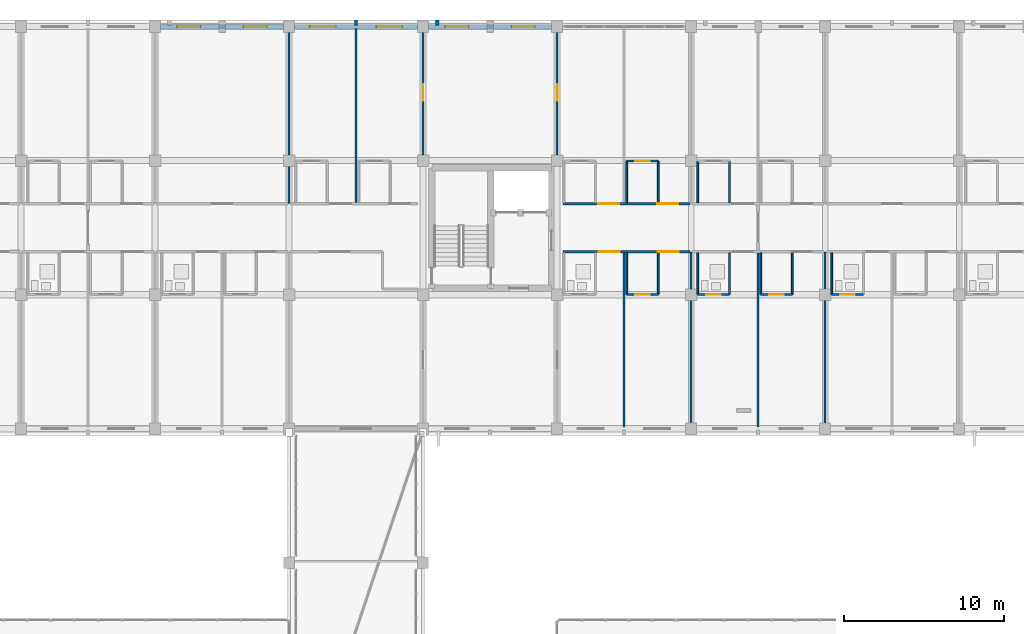
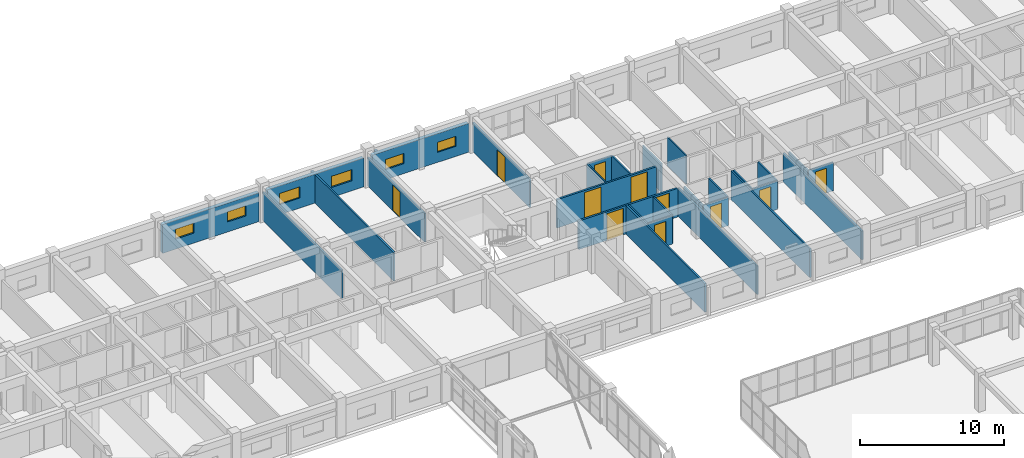
# One storey, part 128 of 148: 31 walls, 11 doors, 6 windows, 17 openings.
"""IFC4 building model written with IfcOpenShell, lengths in metres."""

from ifc_helpers import new_model, si_unit, direction, frame, frame_2d, origin, place, context, subcontext, project, spatial, rectangle, extrude, material, layer, layer_set, type_object, element, fill, save


model = new_model("IFC4")

# Units and contexts
model_context = context("Model", 3, precision=1e-05, world=origin(), true_north=direction((0.0, 1.0)))
body_context = subcontext(model_context, "Body", "Model", "MODEL_VIEW")
ifc_project = project(units=[si_unit("LENGTHUNIT", "METRE"), si_unit("AREAUNIT", "SQUARE_METRE"), si_unit("VOLUMEUNIT", "CUBIC_METRE"), si_unit("PLANEANGLEUNIT", "RADIAN"), si_unit("MASSUNIT", "GRAM", prefix="KILO")], contexts=[model_context])

# Site, building, storey
site_placement = place(None, origin())
site = spatial("IfcSite", under=ifc_project, at=site_placement, CompositionType="ELEMENT")
building_placement = place(site_placement, origin())
building = spatial("IfcBuilding", under=site, at=building_placement, Name="Trelvath General Hospital", CompositionType="ELEMENT")
storey_placement = place(building_placement, frame((0.0, 0.0, 12.89990234375)))
storey = spatial("IfcBuildingStorey", under=building, at=storey_placement, Name="L03", CompositionType="ELEMENT", Elevation=12.89990234375)

# Walls
ifc_material_1 = material(Name="Precast concrete C40/50", Category="concrete")
ifc_layer_1 = layer(ifc_material_1, 0.199951171875)
ifc_layer_set_1 = layer_set([ifc_layer_1], Name="Precast concrete C40/50")
wall_type_1 = type_object("IfcWallType", Name="BriseSoleilRib 200", PredefinedType="ELEMENTEDWALL", material=ifc_layer_set_1)
for number, where, z_axis, x_axis, name in (
    (1, (79.800048828125, 117.675048828125, 0.0), (0.0, 0.0, 1.0), (0.0, 1.0, 0.0), "Precast Concrete Brise-Soleil Rib Fin L03-273"),
    (2, (84.884765625, 117.675048828125, 0.0), (0.0, 0.0, 1.0), (0.0, 1.0, 0.0), "Precast Concrete Brise-Soleil Rib Fin L03-277"),
):
    element("IfcWall", number, at=place(storey_placement, frame(where, z_axis=z_axis, x_axis=x_axis)), inside=storey, type_object=wall_type_1, Name=name, PredefinedType="ELEMENTEDWALL", context=body_context, shape_type="SweptSolid", body=[
        extrude(rectangle(XDim=0.33984375, YDim=0.199951171875, at=frame_2d((0.169921875, 0.0))), origin(), (0.0, 0.0, 1.0), 2.420166015625),
    ])

# Wall, openings, doors
ifc_material_2 = material(Name="Gypsum acoustic steel-stud partition", Category="steel")
ifc_layer_2 = layer(ifc_material_2, 0.14990234375)
ifc_layer_set_2 = layer_set([ifc_layer_2], Name="Gypsum acoustic steel-stud partition")
wall_type_2 = type_object("IfcWallType", Name="ClinicalPartition 150", PredefinedType="PARTITIONING", material=ifc_layer_set_2)
wall_1_placement = place(storey_placement, frame((92.760009765625, 103.5, 0.0), z_axis=(0.0, 0.0, 1.0), x_axis=(1.0, 0.0, 0.0)))
wall_1 = element("IfcWall", 3, at=wall_1_placement, inside=storey, type_object=wall_type_2, Name="Corridor Partition L03-1322", PredefinedType="PARTITIONING", context=body_context, shape_type="SweptSolid", body=[
    extrude(rectangle(XDim=7.9599609375, YDim=0.14990234375, at=frame_2d((3.97998046875, 0.0))), origin(), (0.0, 0.0, 1.0), 2.420166015625),
])
opening_1_placement = place(wall_1_placement, frame((2.25, 0.0, 0.0)))
opening_1 = element("IfcOpeningElement", 4, at=opening_1_placement, cuts=wall_1, Name="Opening D-3-0948", PredefinedType="OPENING", context=body_context, shape_type="SweptSolid", body=[
    extrude(rectangle(XDim=1.320068359375, YDim=2.25, at=frame_2d((0.66015625, 1.125))), frame((0.0, 0.0849609375, 0.0), z_axis=(0.0, -1.0, 0.0), x_axis=(1.0, 0.0, 0.0)), (0.0, 0.0, 1.0), 0.169921875),
])
opening_2_placement = place(wall_1_placement, frame((5.949951171875, 0.0, 0.0)))
opening_2 = element("IfcOpeningElement", 5, at=opening_2_placement, cuts=wall_1, Name="Opening D-3-0949", PredefinedType="OPENING", context=body_context, shape_type="SweptSolid", body=[
    extrude(rectangle(XDim=1.320068359375, YDim=2.25, at=frame_2d((0.66015625, 1.125))), frame((0.0, 0.0849609375, 0.0), z_axis=(0.0, -1.0, 0.0), x_axis=(1.0, 0.0, 0.0)), (0.0, 0.0, 1.0), 0.169921875),
])
ifc_material_3 = material(Name="Maternity bed-leaf timber door", Category="wood")
door_type_1 = type_object("IfcDoorType", Name="Door PatientMaternity 1320x2250", OperationType="NOTDEFINED", PredefinedType="DOOR", material=ifc_material_3)
door_1_placement = place(opening_1_placement, origin())
door_1 = element("IfcDoor", 6, at=door_1_placement, inside=storey, type_object=door_type_1, Name="Patient Room Door L03-948", OperationType="SINGLE_SWING_RIGHT", OverallHeight=2.25, OverallWidth=1.320068359375, PredefinedType="DOOR", context=body_context, shape_type="SweptSolid", body=[
    extrude(rectangle(XDim=1.320068359375, YDim=2.25, at=frame_2d((0.66015625, 1.125))), frame((0.0, 0.02490234375, 0.0), z_axis=(0.0, -1.0, 0.0), x_axis=(1.0, 0.0, 0.0)), (0.0, 0.0, 1.0), 0.050048828125),
])
fill(opening_1, door_1)
door_2_placement = place(opening_2_placement, origin())
door_2 = element("IfcDoor", 7, at=door_2_placement, inside=storey, type_object=door_type_1, Name="Patient Room Door L03-949", OperationType="SINGLE_SWING_LEFT", OverallHeight=2.25, OverallWidth=1.320068359375, PredefinedType="DOOR", context=body_context, shape_type="SweptSolid", body=[
    extrude(rectangle(XDim=1.320068359375, YDim=2.25, at=frame_2d((0.66015625, 1.125))), frame((0.0, 0.02490234375, 0.0), z_axis=(0.0, -1.0, 0.0), x_axis=(1.0, 0.0, 0.0)), (0.0, 0.0, 1.0), 0.050048828125),
])
fill(opening_2, door_2)

wall_2_placement = place(storey_placement, frame((100.719970703125, 106.5, 0.0), z_axis=(0.0, 0.0, 1.0), x_axis=(-1.0, 0.0, 0.0)))
wall_2 = element("IfcWall", 8, at=wall_2_placement, inside=storey, type_object=wall_type_2, Name="Corridor Partition N L03-1330", PredefinedType="PARTITIONING", context=body_context, shape_type="SweptSolid", body=[
    extrude(rectangle(XDim=7.9599609375, YDim=0.14990234375, at=frame_2d((3.97998046875, 0.0))), origin(), (0.0, 0.0, 1.0), 2.420166015625),
])
opening_3_placement = place(wall_2_placement, frame((0.72998046875, 0.0, 0.0)))
opening_3 = element("IfcOpeningElement", 9, at=opening_3_placement, cuts=wall_2, Name="Opening D-3-0952", PredefinedType="OPENING", context=body_context, shape_type="SweptSolid", body=[
    extrude(rectangle(XDim=1.320068359375, YDim=2.25, at=frame_2d((0.66015625, 1.125))), frame((0.0, 0.0849609375, 0.0), z_axis=(0.0, -1.0, 0.0), x_axis=(1.0, 0.0, 0.0)), (0.0, 0.0, 1.0), 0.169921875),
])
opening_4_placement = place(wall_2_placement, frame((4.429931640625, 0.0, 0.0)))
opening_4 = element("IfcOpeningElement", 10, at=opening_4_placement, cuts=wall_2, Name="Opening D-3-0953", PredefinedType="OPENING", context=body_context, shape_type="SweptSolid", body=[
    extrude(rectangle(XDim=1.320068359375, YDim=2.25, at=frame_2d((0.66015625, 1.125))), frame((0.0, 0.0849609375, 0.0), z_axis=(0.0, -1.0, 0.0), x_axis=(1.0, 0.0, 0.0)), (0.0, 0.0, 1.0), 0.169921875),
])
door_3_placement = place(opening_3_placement, origin())
door_3 = element("IfcDoor", 11, at=door_3_placement, inside=storey, type_object=door_type_1, Name="Patient Room Door N L03-952", OperationType="SINGLE_SWING_RIGHT", OverallHeight=2.25, OverallWidth=1.320068359375, PredefinedType="DOOR", context=body_context, shape_type="SweptSolid", body=[
    extrude(rectangle(XDim=1.320068359375, YDim=2.25, at=frame_2d((0.66015625, 1.125))), frame((0.0, 0.02490234375, 0.0), z_axis=(0.0, -1.0, 0.0), x_axis=(1.0, 0.0, 0.0)), (0.0, 0.0, 1.0), 0.050048828125),
])
fill(opening_3, door_3)
door_4_placement = place(opening_4_placement, origin())
door_4 = element("IfcDoor", 12, at=door_4_placement, inside=storey, type_object=door_type_1, Name="Patient Room Door N L03-953", OperationType="SINGLE_SWING_RIGHT", OverallHeight=2.25, OverallWidth=1.320068359375, PredefinedType="DOOR", context=body_context, shape_type="SweptSolid", body=[
    extrude(rectangle(XDim=1.320068359375, YDim=2.25, at=frame_2d((0.66015625, 1.125))), frame((0.0, 0.02490234375, 0.0), z_axis=(0.0, -1.0, 0.0), x_axis=(1.0, 0.0, 0.0)), (0.0, 0.0, 1.0), 0.050048828125),
])
fill(opening_4, door_4)

# Walls
ifc_material_4 = material(Name="Moisture-resistant tile partition")
ifc_layer_3 = layer(ifc_material_4, 0.110107421875)
ifc_layer_set_3 = layer_set([ifc_layer_3], Name="Moisture-resistant tile partition")
wall_type_3 = type_object("IfcWallType", Name="EnSuiteWetWall 110", PredefinedType="PARTITIONING", material=ifc_layer_set_3)
for number, where, z_axis, x_axis, name in (
    (13, (96.760009765625, 100.820068359375, 0.0), (0.0, 0.0, 1.0), (0.0, 1.0, 0.0), "En-Suite W Wall L03-1327"),
    (14, (98.739990234375, 100.820068359375, 0.0), (0.0, 0.0, 1.0), (0.0, 1.0, 0.0), "En-Suite E Wall L03-1328"),
):
    element("IfcWall", number, at=place(storey_placement, frame(where, z_axis=z_axis, x_axis=x_axis)), inside=storey, type_object=wall_type_3, Name=name, PredefinedType="PARTITIONING", context=body_context, shape_type="SweptSolid", body=[
        extrude(rectangle(XDim=2.60986328125, YDim=0.110107421875, at=frame_2d((1.304931640625, 0.0))), origin(), (0.0, 0.0, 1.0), 2.420166015625),
    ])

# Wall, opening, door
wall_3_placement = place(storey_placement, frame((96.760009765625, 100.820068359375, 0.0), z_axis=(0.0, 0.0, 1.0), x_axis=(1.0, 0.0, 0.0)))
wall_3 = element("IfcWall", 15, at=wall_3_placement, inside=storey, type_object=wall_type_3, Name="En-Suite Bathroom Partition L03-1329", PredefinedType="PARTITIONING", context=body_context, shape_type="SweptSolid", body=[
    extrude(rectangle(XDim=1.97998046875, YDim=0.110107421875, at=frame_2d((0.989990234375, 0.0))), origin(), (0.0, 0.0, 1.0), 2.420166015625),
])
opening_5_placement = place(wall_3_placement, frame((0.5400390625, 0.0, 0.0)))
opening_5 = element("IfcOpeningElement", 16, at=opening_5_placement, cuts=wall_3, Name="Opening D-3-0951", PredefinedType="OPENING", context=body_context, shape_type="SweptSolid", body=[
    extrude(rectangle(XDim=0.89990234375, YDim=2.10009765625, at=frame_2d((0.449951171875, 1.050048828125))), frame((0.0, 0.06494140625, 0.0), z_axis=(0.0, -1.0, 0.0), x_axis=(1.0, 0.0, 0.0)), (0.0, 0.0, 1.0), 0.130126953125),
])
ifc_material_5 = material(Name="Moisture-sealed timber leaf", Category="wood")
door_type_2 = type_object("IfcDoorType", Name="Door EnSuite 900x2100", OperationType="NOTDEFINED", PredefinedType="DOOR", material=ifc_material_5)
door_5_placement = place(opening_5_placement, origin())
door_5 = element("IfcDoor", 17, at=door_5_placement, inside=storey, type_object=door_type_2, Name="En-Suite Bathroom Door L03-951", OperationType="SINGLE_SWING_LEFT", OverallHeight=2.10009765625, OverallWidth=0.89990234375, PredefinedType="DOOR", context=body_context, shape_type="SweptSolid", body=[
    extrude(rectangle(XDim=0.89990234375, YDim=2.10009765625, at=frame_2d((0.449951171875, 1.050048828125))), frame((0.0, 0.02490234375, 0.0), z_axis=(0.0, -1.0, 0.0), x_axis=(1.0, 0.0, 0.0)), (0.0, 0.0, 1.0), 0.050048828125),
])
fill(opening_5, door_5)

# Walls
for number, where, z_axis, x_axis, name in (
    (18, (96.760009765625, 106.570068359375, 0.0), (0.0, 0.0, 1.0), (0.0, 1.0, 0.0), "En-Suite W Wall N L03-1335"),
    (19, (98.739990234375, 106.570068359375, 0.0), (0.0, 0.0, 1.0), (0.0, 1.0, 0.0), "En-Suite E Wall N L03-1336"),
):
    element("IfcWall", number, at=place(storey_placement, frame(where, z_axis=z_axis, x_axis=x_axis)), inside=storey, type_object=wall_type_3, Name=name, PredefinedType="PARTITIONING", context=body_context, shape_type="SweptSolid", body=[
        extrude(rectangle(XDim=2.60986328125, YDim=0.110107421875, at=frame_2d((1.304931640625, 0.0))), origin(), (0.0, 0.0, 1.0), 2.420166015625),
    ])

# Wall, opening, door
wall_4_placement = place(storey_placement, frame((96.760009765625, 109.179931640625, 0.0), z_axis=(0.0, 0.0, 1.0), x_axis=(1.0, 0.0, 0.0)))
wall_4 = element("IfcWall", 20, at=wall_4_placement, inside=storey, type_object=wall_type_3, Name="En-Suite Bathroom N Partition L03-1337", PredefinedType="PARTITIONING", context=body_context, shape_type="SweptSolid", body=[
    extrude(rectangle(XDim=1.97998046875, YDim=0.110107421875, at=frame_2d((0.989990234375, 0.0))), origin(), (0.0, 0.0, 1.0), 2.420166015625),
])
opening_6_placement = place(wall_4_placement, frame((0.5400390625, 0.0, 0.0)))
opening_6 = element("IfcOpeningElement", 21, at=opening_6_placement, cuts=wall_4, Name="Opening D-3-0955", PredefinedType="OPENING", context=body_context, shape_type="SweptSolid", body=[
    extrude(rectangle(XDim=0.89990234375, YDim=2.10009765625, at=frame_2d((0.449951171875, 1.050048828125))), frame((0.0, 0.06494140625, 0.0), z_axis=(0.0, -1.0, 0.0), x_axis=(1.0, 0.0, 0.0)), (0.0, 0.0, 1.0), 0.130126953125),
])
door_6_placement = place(opening_6_placement, origin())
door_6 = element("IfcDoor", 22, at=door_6_placement, inside=storey, type_object=door_type_2, Name="En-Suite Bathroom N Door L03-955", OperationType="SINGLE_SWING_RIGHT", OverallHeight=2.10009765625, OverallWidth=0.89990234375, PredefinedType="DOOR", context=body_context, shape_type="SweptSolid", body=[
    extrude(rectangle(XDim=0.89990234375, YDim=2.10009765625, at=frame_2d((0.449951171875, 1.050048828125))), frame((0.0, 0.02490234375, 0.0), z_axis=(0.0, -1.0, 0.0), x_axis=(1.0, 0.0, 0.0)), (0.0, 0.0, 1.0), 0.050048828125),
])
fill(opening_6, door_6)

# Walls
for number, where, z_axis, x_axis, name in (
    (23, (101.219970703125, 100.820068359375, 0.0), (0.0, 0.0, 1.0), (0.0, 1.0, 0.0), "En-Suite W Wall L03-1342"),
    (24, (103.199951171875, 100.820068359375, 0.0), (0.0, 0.0, 1.0), (0.0, 1.0, 0.0), "En-Suite E Wall L03-1343"),
):
    element("IfcWall", number, at=place(storey_placement, frame(where, z_axis=z_axis, x_axis=x_axis)), inside=storey, type_object=wall_type_3, Name=name, PredefinedType="PARTITIONING", context=body_context, shape_type="SweptSolid", body=[
        extrude(rectangle(XDim=2.60986328125, YDim=0.110107421875, at=frame_2d((1.304931640625, 0.0))), origin(), (0.0, 0.0, 1.0), 2.420166015625),
    ])

# Wall, opening, door
wall_5_placement = place(storey_placement, frame((101.219970703125, 100.820068359375, 0.0), z_axis=(0.0, 0.0, 1.0), x_axis=(1.0, 0.0, 0.0)))
wall_5 = element("IfcWall", 25, at=wall_5_placement, inside=storey, type_object=wall_type_3, Name="En-Suite Bathroom Partition L03-1344", PredefinedType="PARTITIONING", context=body_context, shape_type="SweptSolid", body=[
    extrude(rectangle(XDim=1.97998046875, YDim=0.110107421875, at=frame_2d((0.989990234375, 0.0))), origin(), (0.0, 0.0, 1.0), 2.420166015625),
])
opening_7_placement = place(wall_5_placement, frame((0.5400390625, 0.0, 0.0)))
opening_7 = element("IfcOpeningElement", 26, at=opening_7_placement, cuts=wall_5, Name="Opening D-3-0958", PredefinedType="OPENING", context=body_context, shape_type="SweptSolid", body=[
    extrude(rectangle(XDim=0.89990234375, YDim=2.10009765625, at=frame_2d((0.449951171875, 1.050048828125))), frame((0.0, 0.06494140625, 0.0), z_axis=(0.0, -1.0, 0.0), x_axis=(1.0, 0.0, 0.0)), (0.0, 0.0, 1.0), 0.130126953125),
])
door_7_placement = place(opening_7_placement, origin())
door_7 = element("IfcDoor", 27, at=door_7_placement, inside=storey, type_object=door_type_2, Name="En-Suite Bathroom Door L03-958", OperationType="SINGLE_SWING_LEFT", OverallHeight=2.10009765625, OverallWidth=0.89990234375, PredefinedType="DOOR", context=body_context, shape_type="SweptSolid", body=[
    extrude(rectangle(XDim=0.89990234375, YDim=2.10009765625, at=frame_2d((0.449951171875, 1.050048828125))), frame((0.0, 0.02490234375, 0.0), z_axis=(0.0, -1.0, 0.0), x_axis=(1.0, 0.0, 0.0)), (0.0, 0.0, 1.0), 0.050048828125),
])
fill(opening_7, door_7)

# Walls
for number, where, z_axis, x_axis, name in (
    (28, (105.159912109375, 100.820068359375, 0.0), (0.0, 0.0, 1.0), (0.0, 1.0, 0.0), "En-Suite W Wall L03-1345"),
    (29, (107.139892578125, 100.820068359375, 0.0), (0.0, 0.0, 1.0), (0.0, 1.0, 0.0), "En-Suite E Wall L03-1346"),
):
    element("IfcWall", number, at=place(storey_placement, frame(where, z_axis=z_axis, x_axis=x_axis)), inside=storey, type_object=wall_type_3, Name=name, PredefinedType="PARTITIONING", context=body_context, shape_type="SweptSolid", body=[
        extrude(rectangle(XDim=2.60986328125, YDim=0.110107421875, at=frame_2d((1.304931640625, 0.0))), origin(), (0.0, 0.0, 1.0), 2.420166015625),
    ])

# Wall, opening, door
wall_6_placement = place(storey_placement, frame((105.159912109375, 100.820068359375, 0.0), z_axis=(0.0, 0.0, 1.0), x_axis=(1.0, 0.0, 0.0)))
wall_6 = element("IfcWall", 30, at=wall_6_placement, inside=storey, type_object=wall_type_3, Name="En-Suite Bathroom Partition L03-1347", PredefinedType="PARTITIONING", context=body_context, shape_type="SweptSolid", body=[
    extrude(rectangle(XDim=1.97998046875, YDim=0.110107421875, at=frame_2d((0.989990234375, 0.0))), origin(), (0.0, 0.0, 1.0), 2.420166015625),
])
opening_8_placement = place(wall_6_placement, frame((0.5400390625, 0.0, 0.0)))
opening_8 = element("IfcOpeningElement", 31, at=opening_8_placement, cuts=wall_6, Name="Opening D-3-0959", PredefinedType="OPENING", context=body_context, shape_type="SweptSolid", body=[
    extrude(rectangle(XDim=0.89990234375, YDim=2.10009765625, at=frame_2d((0.449951171875, 1.050048828125))), frame((0.0, 0.06494140625, 0.0), z_axis=(0.0, -1.0, 0.0), x_axis=(1.0, 0.0, 0.0)), (0.0, 0.0, 1.0), 0.130126953125),
])
door_8_placement = place(opening_8_placement, origin())
door_8 = element("IfcDoor", 32, at=door_8_placement, inside=storey, type_object=door_type_2, Name="En-Suite Bathroom Door L03-959", OperationType="SINGLE_SWING_RIGHT", OverallHeight=2.10009765625, OverallWidth=0.89990234375, PredefinedType="DOOR", context=body_context, shape_type="SweptSolid", body=[
    extrude(rectangle(XDim=0.89990234375, YDim=2.10009765625, at=frame_2d((0.449951171875, 1.050048828125))), frame((0.0, 0.02490234375, 0.0), z_axis=(0.0, -1.0, 0.0), x_axis=(1.0, 0.0, 0.0)), (0.0, 0.0, 1.0), 0.050048828125),
])
fill(opening_8, door_8)

# Walls
for number, where, z_axis, x_axis, name in (
    (33, (101.219970703125, 106.570068359375, 0.0), (0.0, 0.0, 1.0), (0.0, 1.0, 0.0), "En-Suite W Wall N L03-1351"),
    (34, (103.199951171875, 106.570068359375, 0.0), (0.0, 0.0, 1.0), (0.0, 1.0, 0.0), "En-Suite E Wall N L03-1352"),
    (35, (109.6201171875, 100.820068359375, 0.0), (0.0, 0.0, 1.0), (0.0, 1.0, 0.0), "En-Suite W Wall L03-1362"),
):
    element("IfcWall", number, at=place(storey_placement, frame(where, z_axis=z_axis, x_axis=x_axis)), inside=storey, type_object=wall_type_3, Name=name, PredefinedType="PARTITIONING", context=body_context, shape_type="SweptSolid", body=[
        extrude(rectangle(XDim=2.60986328125, YDim=0.110107421875, at=frame_2d((1.304931640625, 0.0))), origin(), (0.0, 0.0, 1.0), 2.420166015625),
    ])

# Wall, opening, door
wall_7_placement = place(storey_placement, frame((109.6201171875, 100.820068359375, 0.0), z_axis=(0.0, 0.0, 1.0), x_axis=(1.0, 0.0, 0.0)))
wall_7 = element("IfcWall", 36, at=wall_7_placement, inside=storey, type_object=wall_type_3, Name="En-Suite Bathroom Partition L03-1364", PredefinedType="PARTITIONING", context=body_context, shape_type="SweptSolid", body=[
    extrude(rectangle(XDim=1.97998046875, YDim=0.110107421875, at=frame_2d((0.989990234375, 0.0))), origin(), (0.0, 0.0, 1.0), 2.420166015625),
])
opening_9_placement = place(wall_7_placement, frame((0.5400390625, 0.0, 0.0)))
opening_9 = element("IfcOpeningElement", 37, at=opening_9_placement, cuts=wall_7, Name="Opening D-3-0967", PredefinedType="OPENING", context=body_context, shape_type="SweptSolid", body=[
    extrude(rectangle(XDim=0.89990234375, YDim=2.10009765625, at=frame_2d((0.449951171875, 1.050048828125))), frame((0.0, 0.06494140625, 0.0), z_axis=(0.0, -1.0, 0.0), x_axis=(1.0, 0.0, 0.0)), (0.0, 0.0, 1.0), 0.130126953125),
])
door_9_placement = place(opening_9_placement, origin())
door_9 = element("IfcDoor", 38, at=door_9_placement, inside=storey, type_object=door_type_2, Name="En-Suite Bathroom Door L03-967", OperationType="SINGLE_SWING_RIGHT", OverallHeight=2.10009765625, OverallWidth=0.89990234375, PredefinedType="DOOR", context=body_context, shape_type="SweptSolid", body=[
    extrude(rectangle(XDim=0.89990234375, YDim=2.10009765625, at=frame_2d((0.449951171875, 1.050048828125))), frame((0.0, 0.02490234375, 0.0), z_axis=(0.0, -1.0, 0.0), x_axis=(1.0, 0.0, 0.0)), (0.0, 0.0, 1.0), 0.050048828125),
])
fill(opening_9, door_9)

# Wall, openings, windows
ifc_material_6 = material(Name="Concrete C35/45", Category="concrete")
ifc_layer_4 = layer(ifc_material_6, 0.2900390625)
ifc_layer_set_4 = layer_set([ifc_layer_4], Name="Concrete C35/45")
wall_type_4 = type_object("IfcWallType", Name="ExtBushHammeredWall 290", PredefinedType="SOLIDWALL", material=ifc_layer_set_4)
wall_8_placement = place(storey_placement, frame((67.544921875, 117.60009765625, 0.0), z_axis=(0.0, 0.0, 1.0), x_axis=(1.0, 0.0, 0.0)))
wall_8 = element("IfcWall", 39, at=wall_8_placement, inside=storey, type_object=wall_type_4, Name="Exterior Concrete Wall L03-379", PredefinedType="SOLIDWALL", context=body_context, shape_type="SweptSolid", body=[
    extrude(rectangle(XDim=7.7099609375, YDim=0.2900390625, at=frame_2d((3.85498046875, 0.0))), origin(), (0.0, 0.0, 1.0), 2.440185546875),
])
opening_10_placement = place(wall_8_placement, frame((1.043212890625, 0.0, 0.85009765625)))
opening_10 = element("IfcOpeningElement", 40, at=opening_10_placement, cuts=wall_8, Name="Opening WN-3-627", PredefinedType="OPENING", context=body_context, shape_type="SweptSolid", body=[
    extrude(rectangle(XDim=1.4599609375, YDim=0.85009765625, at=frame_2d((0.72998046875, 0.425048828125))), frame((0.0, 0.155029296875, 0.0), z_axis=(0.0, -1.0, 0.0), x_axis=(1.0, 0.0, 0.0)), (0.0, 0.0, 1.0), 0.31005859375),
])
opening_11_placement = place(wall_8_placement, frame((5.206787109375, 0.0, 0.85009765625)))
opening_11 = element("IfcOpeningElement", 41, at=opening_11_placement, cuts=wall_8, Name="Opening WN-3-628", PredefinedType="OPENING", context=body_context, shape_type="SweptSolid", body=[
    extrude(rectangle(XDim=1.4599609375, YDim=0.85009765625, at=frame_2d((0.72998046875, 0.425048828125))), frame((0.0, 0.155029296875, 0.0), z_axis=(0.0, -1.0, 0.0), x_axis=(1.0, 0.0, 0.0)), (0.0, 0.0, 1.0), 0.31005859375),
])
ifc_material_7 = material(Name="Low-E laminated glass", Category="glass")
window_type_1 = type_object("IfcWindowType", Name="Window ImagingClere 1460x850", PartitioningType="DOUBLE_PANEL_VERTICAL", PredefinedType="WINDOW", material=ifc_material_7)
window_1_placement = place(opening_10_placement, origin())
window_1 = element("IfcWindow", 42, at=window_1_placement, inside=storey, type_object=window_type_1, Name="Solar Reveal Window L03-627", OverallHeight=0.85009765625, OverallWidth=1.4599609375, PartitioningType="SINGLE_PANEL", PredefinedType="WINDOW", context=body_context, shape_type="SweptSolid", body=[
    extrude(rectangle(XDim=1.4599609375, YDim=0.85009765625, at=frame_2d((0.72998046875, 0.425048828125))), frame((0.0, 0.030029296875, 0.0), z_axis=(0.0, -1.0, 0.0), x_axis=(1.0, 0.0, 0.0)), (0.0, 0.0, 1.0), 0.06005859375),
])
fill(opening_10, window_1)
window_2_placement = place(opening_11_placement, origin())
window_2 = element("IfcWindow", 43, at=window_2_placement, inside=storey, type_object=window_type_1, Name="Solar Reveal Window L03-628", OverallHeight=0.85009765625, OverallWidth=1.4599609375, PartitioningType="SINGLE_PANEL", PredefinedType="WINDOW", context=body_context, shape_type="SweptSolid", body=[
    extrude(rectangle(XDim=1.4599609375, YDim=0.85009765625, at=frame_2d((0.72998046875, 0.425048828125))), frame((0.0, 0.030029296875, 0.0), z_axis=(0.0, -1.0, 0.0), x_axis=(1.0, 0.0, 0.0)), (0.0, 0.0, 1.0), 0.06005859375),
])
fill(opening_11, window_2)

wall_9_placement = place(storey_placement, frame((75.945068359375, 117.60009765625, 0.0), z_axis=(0.0, 0.0, 1.0), x_axis=(1.0, 0.0, 0.0)))
wall_9 = element("IfcWall", 44, at=wall_9_placement, inside=storey, type_object=wall_type_4, Name="Exterior Concrete Wall L03-388", PredefinedType="SOLIDWALL", context=body_context, shape_type="SweptSolid", body=[
    extrude(rectangle(XDim=7.7099609375, YDim=0.2900390625, at=frame_2d((3.85498046875, 0.0))), origin(), (0.0, 0.0, 1.0), 2.440185546875),
])
opening_12_placement = place(wall_9_placement, frame((0.96337890625, 0.0, 0.85009765625)))
opening_12 = element("IfcOpeningElement", 45, at=opening_12_placement, cuts=wall_9, Name="Opening WN-3-631", PredefinedType="OPENING", context=body_context, shape_type="SweptSolid", body=[
    extrude(rectangle(XDim=1.6201171875, YDim=0.949951171875, at=frame_2d((0.81005859375, 0.47509765625))), frame((0.0, 0.155029296875, 0.0), z_axis=(0.0, -1.0, 0.0), x_axis=(1.0, 0.0, 0.0)), (0.0, 0.0, 1.0), 0.31005859375),
])
opening_13_placement = place(wall_9_placement, frame((5.126708984375, 0.0, 0.85009765625)))
opening_13 = element("IfcOpeningElement", 46, at=opening_13_placement, cuts=wall_9, Name="Opening WN-3-632", PredefinedType="OPENING", context=body_context, shape_type="SweptSolid", body=[
    extrude(rectangle(XDim=1.6201171875, YDim=0.949951171875, at=frame_2d((0.81005859375, 0.47509765625))), frame((0.0, 0.155029296875, 0.0), z_axis=(0.0, -1.0, 0.0), x_axis=(1.0, 0.0, 0.0)), (0.0, 0.0, 1.0), 0.31005859375),
])
ifc_material_8 = material(Name="Low-E laminated glass", Category="glass")
window_type_2 = type_object("IfcWindowType", Name="Window EmergencyClere 1620x950", PartitioningType="DOUBLE_PANEL_VERTICAL", PredefinedType="WINDOW", material=ifc_material_8)
window_3_placement = place(opening_12_placement, origin())
window_3 = element("IfcWindow", 47, at=window_3_placement, inside=storey, type_object=window_type_2, Name="Solar Reveal Window L03-631", OverallHeight=0.949951171875, OverallWidth=1.6201171875, PartitioningType="SINGLE_PANEL", PredefinedType="WINDOW", context=body_context, shape_type="SweptSolid", body=[
    extrude(rectangle(XDim=1.6201171875, YDim=0.949951171875, at=frame_2d((0.81005859375, 0.47509765625))), frame((0.0, 0.030029296875, 0.0), z_axis=(0.0, -1.0, 0.0), x_axis=(1.0, 0.0, 0.0)), (0.0, 0.0, 1.0), 0.06005859375),
])
fill(opening_12, window_3)
window_4_placement = place(opening_13_placement, origin())
window_4 = element("IfcWindow", 48, at=window_4_placement, inside=storey, type_object=window_type_2, Name="Solar Reveal Window L03-632", OverallHeight=0.949951171875, OverallWidth=1.6201171875, PartitioningType="SINGLE_PANEL", PredefinedType="WINDOW", context=body_context, shape_type="SweptSolid", body=[
    extrude(rectangle(XDim=1.6201171875, YDim=0.949951171875, at=frame_2d((0.81005859375, 0.47509765625))), frame((0.0, 0.030029296875, 0.0), z_axis=(0.0, -1.0, 0.0), x_axis=(1.0, 0.0, 0.0)), (0.0, 0.0, 1.0), 0.06005859375),
])
fill(opening_13, window_4)

wall_10_placement = place(storey_placement, frame((84.344970703125, 117.60009765625, 0.0), z_axis=(0.0, 0.0, 1.0), x_axis=(1.0, 0.0, 0.0)))
wall_10 = element("IfcWall", 49, at=wall_10_placement, inside=storey, type_object=wall_type_4, Name="Exterior Concrete Wall L03-395", PredefinedType="SOLIDWALL", context=body_context, shape_type="SweptSolid", body=[
    extrude(rectangle(XDim=7.7099609375, YDim=0.2900390625, at=frame_2d((3.85498046875, 0.0))), origin(), (0.0, 0.0, 1.0), 2.440185546875),
])
opening_14_placement = place(wall_10_placement, frame((1.043212890625, 0.0, 0.85009765625)))
opening_14 = element("IfcOpeningElement", 50, at=opening_14_placement, cuts=wall_10, Name="Opening WN-3-639", PredefinedType="OPENING", context=body_context, shape_type="SweptSolid", body=[
    extrude(rectangle(XDim=1.4599609375, YDim=0.85009765625, at=frame_2d((0.72998046875, 0.425048828125))), frame((0.0, 0.155029296875, 0.0), z_axis=(0.0, -1.0, 0.0), x_axis=(1.0, 0.0, 0.0)), (0.0, 0.0, 1.0), 0.31005859375),
])
opening_15_placement = place(wall_10_placement, frame((5.206787109375, 0.0, 0.85009765625)))
opening_15 = element("IfcOpeningElement", 51, at=opening_15_placement, cuts=wall_10, Name="Opening WN-3-640", PredefinedType="OPENING", context=body_context, shape_type="SweptSolid", body=[
    extrude(rectangle(XDim=1.4599609375, YDim=0.85009765625, at=frame_2d((0.72998046875, 0.425048828125))), frame((0.0, 0.155029296875, 0.0), z_axis=(0.0, -1.0, 0.0), x_axis=(1.0, 0.0, 0.0)), (0.0, 0.0, 1.0), 0.31005859375),
])
window_5_placement = place(opening_14_placement, origin())
window_5 = element("IfcWindow", 52, at=window_5_placement, inside=storey, type_object=window_type_1, Name="Solar Reveal Window L03-639", OverallHeight=0.85009765625, OverallWidth=1.4599609375, PartitioningType="SINGLE_PANEL", PredefinedType="WINDOW", context=body_context, shape_type="SweptSolid", body=[
    extrude(rectangle(XDim=1.4599609375, YDim=0.85009765625, at=frame_2d((0.72998046875, 0.425048828125))), frame((0.0, 0.030029296875, 0.0), z_axis=(0.0, -1.0, 0.0), x_axis=(1.0, 0.0, 0.0)), (0.0, 0.0, 1.0), 0.06005859375),
])
fill(opening_14, window_5)
window_6_placement = place(opening_15_placement, origin())
window_6 = element("IfcWindow", 53, at=window_6_placement, inside=storey, type_object=window_type_1, Name="Solar Reveal Window L03-640", OverallHeight=0.85009765625, OverallWidth=1.4599609375, PartitioningType="SINGLE_PANEL", PredefinedType="WINDOW", context=body_context, shape_type="SweptSolid", body=[
    extrude(rectangle(XDim=1.4599609375, YDim=0.85009765625, at=frame_2d((0.72998046875, 0.425048828125))), frame((0.0, 0.030029296875, 0.0), z_axis=(0.0, -1.0, 0.0), x_axis=(1.0, 0.0, 0.0)), (0.0, 0.0, 1.0), 0.06005859375),
])
fill(opening_15, window_6)

# Walls
ifc_material_9 = material(Name="Gypsum acoustic steel-stud partition", Category="steel")
ifc_layer_5 = layer(ifc_material_9, 0.1298828125)
ifc_layer_set_5 = layer_set([ifc_layer_5], Name="Gypsum acoustic steel-stud partition")
wall_type_5 = type_object("IfcWallType", Name="WardPartition 130", PredefinedType="PARTITIONING", material=ifc_layer_set_5)
wall_11_placement = place(storey_placement, frame((75.60009765625, 106.52001953125, 0.0), z_axis=(0.0, 0.0, 1.0), x_axis=(0.0, 1.0, 0.0)))
element("IfcWall", 54, at=wall_11_placement, inside=storey, type_object=wall_type_5, Name="Inter-Bay Ward Partition N L03-1306", PredefinedType="PARTITIONING", context=body_context, shape_type="SweptSolid", body=[
    extrude(rectangle(XDim=10.93994140625, YDim=0.1298828125, at=frame_2d((5.469970703125, 0.0))), origin(), (0.0, 0.0, 1.0), 2.420166015625),
])
wall_12_placement = place(storey_placement, frame((79.800048828125, 106.570068359375, 0.0), z_axis=(0.0, 0.0, 1.0), x_axis=(0.0, 1.0, 0.0)))
element("IfcWall", 55, at=wall_12_placement, inside=storey, type_object=wall_type_5, Name="Room Dividing Partition N L03-1311", PredefinedType="PARTITIONING", context=body_context, shape_type="SweptSolid", body=[
    extrude(rectangle(XDim=10.929931640625, YDim=0.1298828125, at=frame_2d((5.46484375, 0.0))), origin(), (0.0, 0.0, 1.0), 2.420166015625),
])

# Wall, opening, door
wall_13_placement = place(storey_placement, frame((84.0, 109.550048828125, 0.0), z_axis=(0.0, 0.0, 1.0), x_axis=(0.0, 1.0, 0.0)))
wall_13 = element("IfcWall", 56, at=wall_13_placement, inside=storey, type_object=wall_type_5, Name="Inter-Bay Ward Partition N L03-1319", PredefinedType="PARTITIONING", context=body_context, shape_type="SweptSolid", body=[
    extrude(rectangle(XDim=7.909912109375, YDim=0.1298828125, at=frame_2d((3.955078125, 0.0))), origin(), (0.0, 0.0, 1.0), 2.420166015625),
])
opening_16_placement = place(wall_13_placement, frame((3.39990234375, 0.0, 0.0)))
opening_16 = element("IfcOpeningElement", 57, at=opening_16_placement, cuts=wall_13, Name="Opening D-3-0945", PredefinedType="OPENING", context=body_context, shape_type="SweptSolid", body=[
    extrude(rectangle(XDim=1.050048828125, YDim=2.199951171875, at=frame_2d((0.52490234375, 1.10009765625))), frame((0.0, 0.074951171875, 0.0), z_axis=(0.0, -1.0, 0.0), x_axis=(1.0, 0.0, 0.0)), (0.0, 0.0, 1.0), 0.14990234375),
])
ifc_material_10 = material(Name="Acoustic hospital timber leaf", Category="wood")
door_type_3 = type_object("IfcDoorType", Name="Door Consult 1050x2200", OperationType="NOTDEFINED", PredefinedType="DOOR", material=ifc_material_10)
door_10_placement = place(opening_16_placement, origin())
door_10 = element("IfcDoor", 58, at=door_10_placement, inside=storey, type_object=door_type_3, Name="Consultation Connecting Door L03-945", OperationType="SINGLE_SWING_LEFT", OverallHeight=2.199951171875, OverallWidth=1.050048828125, PredefinedType="DOOR", context=body_context, shape_type="SweptSolid", body=[
    extrude(rectangle(XDim=1.050048828125, YDim=2.199951171875, at=frame_2d((0.52490234375, 1.10009765625))), frame((0.0, 0.02490234375, 0.0), z_axis=(0.0, -1.0, 0.0), x_axis=(1.0, 0.0, 0.0)), (0.0, 0.0, 1.0), 0.050048828125),
])
fill(opening_16, door_10)

wall_14_placement = place(storey_placement, frame((92.39990234375, 109.550048828125, 0.0), z_axis=(0.0, 0.0, 1.0), x_axis=(0.0, 1.0, 0.0)))
wall_14 = element("IfcWall", 59, at=wall_14_placement, inside=storey, type_object=wall_type_5, Name="Inter-Bay Ward Partition N L03-1321", PredefinedType="PARTITIONING", context=body_context, shape_type="SweptSolid", body=[
    extrude(rectangle(XDim=7.909912109375, YDim=0.1298828125, at=frame_2d((3.955078125, 0.0))), origin(), (0.0, 0.0, 1.0), 2.420166015625),
])
opening_17_placement = place(wall_14_placement, frame((3.39990234375, 0.0, 0.0)))
opening_17 = element("IfcOpeningElement", 60, at=opening_17_placement, cuts=wall_14, Name="Opening D-3-0947", PredefinedType="OPENING", context=body_context, shape_type="SweptSolid", body=[
    extrude(rectangle(XDim=1.050048828125, YDim=2.199951171875, at=frame_2d((0.52490234375, 1.10009765625))), frame((0.0, 0.074951171875, 0.0), z_axis=(0.0, -1.0, 0.0), x_axis=(1.0, 0.0, 0.0)), (0.0, 0.0, 1.0), 0.14990234375),
])
door_11_placement = place(opening_17_placement, origin())
door_11 = element("IfcDoor", 61, at=door_11_placement, inside=storey, type_object=door_type_3, Name="Consultation Connecting Door L03-947", OperationType="SINGLE_SWING_LEFT", OverallHeight=2.199951171875, OverallWidth=1.050048828125, PredefinedType="DOOR", context=body_context, shape_type="SweptSolid", body=[
    extrude(rectangle(XDim=1.050048828125, YDim=2.199951171875, at=frame_2d((0.52490234375, 1.10009765625))), frame((0.0, 0.02490234375, 0.0), z_axis=(0.0, -1.0, 0.0), x_axis=(1.0, 0.0, 0.0)), (0.0, 0.0, 1.0), 0.050048828125),
])
fill(opening_17, door_11)

# Walls
wall_15_placement = place(storey_placement, frame((96.60009765625, 92.5, 0.0), z_axis=(0.0, 0.0, 1.0), x_axis=(0.0, 1.0, 0.0)))
element("IfcWall", 62, at=wall_15_placement, inside=storey, type_object=wall_type_5, Name="Room Dividing Partition S L03-1323", PredefinedType="PARTITIONING", context=body_context, shape_type="SweptSolid", body=[
    extrude(rectangle(XDim=10.929931640625, YDim=0.1298828125, at=frame_2d((5.46484375, 0.0))), origin(), (0.0, 0.0, 1.0), 2.420166015625),
])
wall_16_placement = place(storey_placement, frame((100.800048828125, 92.5400390625, 0.0), z_axis=(0.0, 0.0, 1.0), x_axis=(0.0, 1.0, 0.0)))
element("IfcWall", 63, at=wall_16_placement, inside=storey, type_object=wall_type_5, Name="Inter-Bay Ward Partition S L03-1338", PredefinedType="PARTITIONING", context=body_context, shape_type="SweptSolid", body=[
    extrude(rectangle(XDim=10.93994140625, YDim=0.1298828125, at=frame_2d((5.469970703125, 0.0))), origin(), (0.0, 0.0, 1.0), 2.420166015625),
])
wall_17_placement = place(storey_placement, frame((105.0, 92.5, 0.0), z_axis=(0.0, 0.0, 1.0), x_axis=(0.0, 1.0, 0.0)))
element("IfcWall", 64, at=wall_17_placement, inside=storey, type_object=wall_type_5, Name="Room Dividing Partition S L03-1341", PredefinedType="PARTITIONING", context=body_context, shape_type="SweptSolid", body=[
    extrude(rectangle(XDim=10.929931640625, YDim=0.1298828125, at=frame_2d((5.46484375, 0.0))), origin(), (0.0, 0.0, 1.0), 2.420166015625),
])
wall_18_placement = place(storey_placement, frame((109.199951171875, 92.5400390625, 0.0), z_axis=(0.0, 0.0, 1.0), x_axis=(0.0, 1.0, 0.0)))
element("IfcWall", 65, at=wall_18_placement, inside=storey, type_object=wall_type_5, Name="Inter-Bay Ward Partition S L03-1358", PredefinedType="PARTITIONING", context=body_context, shape_type="SweptSolid", body=[
    extrude(rectangle(XDim=10.93994140625, YDim=0.1298828125, at=frame_2d((5.469970703125, 0.0))), origin(), (0.0, 0.0, 1.0), 2.420166015625),
])

save(model, "model.ifc")
